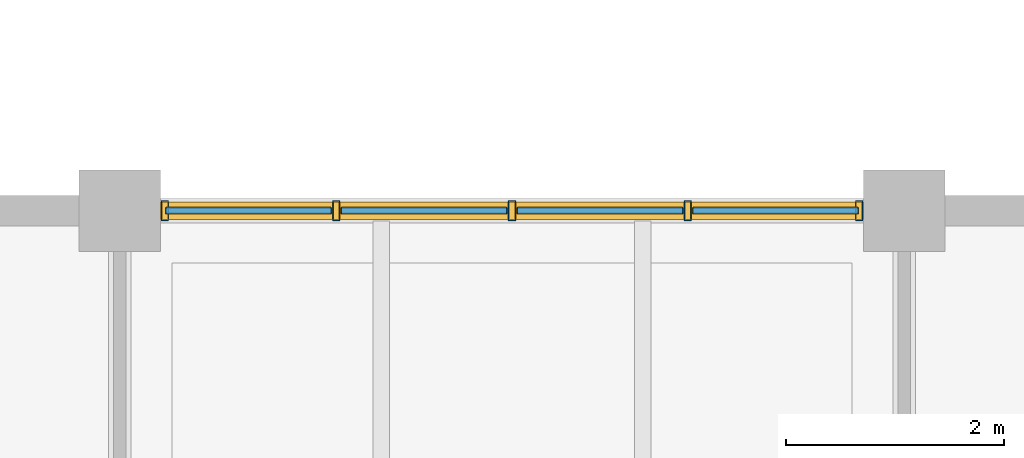
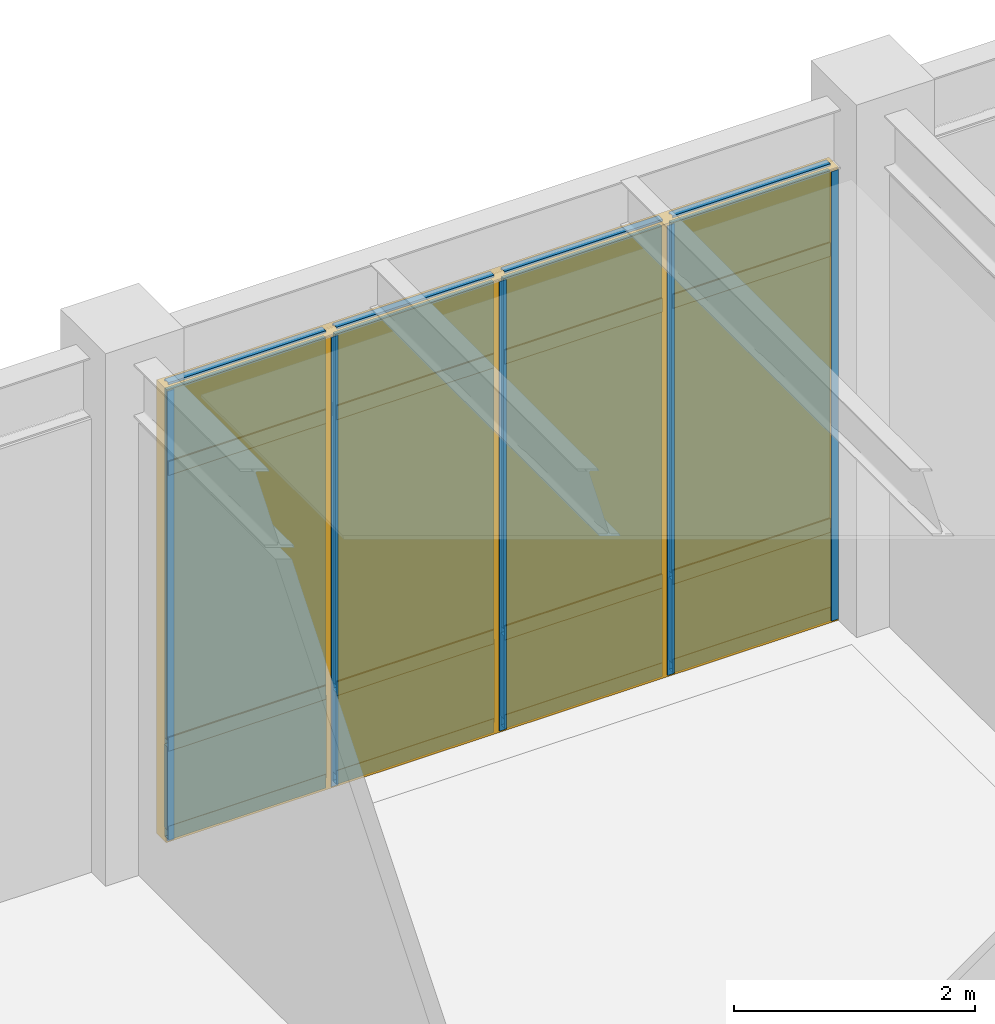
# One storey, part 68 of 97: 21 members, 8 plates, 1 curtain wall.
"""IFC4 building model written with IfcOpenShell, lengths in metres."""

import ifcopenshell
import ifcopenshell.guid

model = None  # the IFC model being written
_history = None  # IfcOwnerHistory: only IFC2X3 demands one
_inside = {}  # id of a spatial element -> (the spatial element, [elements in it])
_under = {}  # id of a project, library or spatial element -> (it, [spatial elements below it])
_declared = {}  # id of a project -> (the project, [libraries it declares])
_typed = {}  # id of a type object -> (the type object, [elements of that type])
_made_of = {}  # id of a material, layer set ... -> (it, [elements and type objects made of it])


def new_model(schema):
    """Start an empty IFC model of exactly this schema.

    Asked for "IFC4X3", IfcOpenShell would pick the latest addendum, in which some entities
    have other attributes; the version numbers below select the first issue.
    IFC2X3 requires an IfcOwnerHistory on every rooted entity: one is made here for all.
    """
    global model, _history
    if schema == "IFC4X3":
        model = ifcopenshell.file(schema_version=(4, 3, 0, 0))
    else:
        model = ifcopenshell.file(schema=schema)
    _inside.clear()
    _under.clear()
    _declared.clear()
    _typed.clear()
    _made_of.clear()
    _history = None
    if model.schema == "IFC2X3":
        org = make("IfcOrganization", Name="unknown")
        user = make(
            "IfcPersonAndOrganization",
            ThePerson=make("IfcPerson", FamilyName="unknown"),
            TheOrganization=org,
        )
        app = make(
            "IfcApplication",
            ApplicationDeveloper=org,
            Version="unknown",
            ApplicationFullName="unknown",
            ApplicationIdentifier="unknown",
        )
        _history = make(
            "IfcOwnerHistory",
            OwningUser=user,
            OwningApplication=app,
            ChangeAction="ADDED",
            CreationDate=0,
        )
    return model


def make(cls, **values):
    """One entity of the class cls with the attributes given. An attribute that is None is left unset."""
    return model.create_entity(
        cls, **{name: value for name, value in values.items() if value is not None}
    )


def rooted(cls, **values):
    """An entity with a GlobalId (a new one), such as an element, a storey or a relation."""
    return make(cls, GlobalId=ifcopenshell.guid.new(), OwnerHistory=_history, **values)


def si_unit(unit_type, name, prefix=None):
    """IfcSIUnit, for example si_unit("LENGTHUNIT", "METRE", prefix="MILLI")."""
    return make("IfcSIUnit", UnitType=unit_type, Prefix=prefix, Name=name)


def assignment(units):
    """IfcUnitAssignment: the units of a project."""
    return None if units is None else make("IfcUnitAssignment", Units=units)


def point(xyz):
    """IfcCartesianPoint."""
    return None if xyz is None else make("IfcCartesianPoint", Coordinates=xyz)


def direction(xyz):
    """IfcDirection."""
    return None if xyz is None else make("IfcDirection", DirectionRatios=xyz)


def frame(location, z_axis=None, x_axis=None):
    """IfcAxis2Placement3D, a coordinate frame: its origin and axes. An axis left out is left unset."""
    return make(
        "IfcAxis2Placement3D",
        Location=point(location),
        Axis=direction(z_axis),
        RefDirection=direction(x_axis),
    )


def frame_2d(location, x_axis=None):
    """IfcAxis2Placement2D, a coordinate frame in the plane: its origin and x axis."""
    return make(
        "IfcAxis2Placement2D", Location=point(location), RefDirection=direction(x_axis)
    )


def origin():
    """The frame at (0, 0, 0) with its axes left unset."""
    return frame((0.0, 0.0, 0.0))


def origin_2d():
    """The frame at (0, 0) in the plane with its x axis left unset."""
    return frame_2d((0.0, 0.0))


def place(relative_to, where):
    """IfcLocalPlacement: puts the frame where relative to a parent placement (None: the world)."""
    return make(
        "IfcLocalPlacement", PlacementRelTo=relative_to, RelativePlacement=where
    )


def context(
    kind, dimensions, precision=None, world=None, true_north=None, identifier=None
):
    """IfcGeometricRepresentationContext, for example the 3D "Model" context."""
    return make(
        "IfcGeometricRepresentationContext",
        ContextIdentifier=identifier,
        ContextType=kind,
        CoordinateSpaceDimension=dimensions,
        Precision=precision,
        WorldCoordinateSystem=world,
        TrueNorth=true_north,
    )


def subcontext(parent, identifier, kind, view, scale=None):
    """IfcGeometricRepresentationSubContext, for example "Body" below "Model"."""
    return make(
        "IfcGeometricRepresentationSubContext",
        ContextIdentifier=identifier,
        ContextType=kind,
        ParentContext=parent,
        TargetScale=scale,
        TargetView=view,
    )


def project(units=None, contexts=None):
    """IfcProject with its units and contexts."""
    return rooted(
        "IfcProject",
        Name="project",
        RepresentationContexts=contexts,
        UnitsInContext=assignment(units),
    )


def spatial(cls, under=None, at=None, **own):
    """A site, building, storey or space (cls), placed at a placement, below another one or the project."""
    s = rooted(cls, ObjectPlacement=at, **own)
    if under is not None:
        _under.setdefault(under.id(), (under, []))[1].append(s)
    return s


def profile(cls, at=None, kind="AREA", **sizes):
    """A parametric profile (cls). Its sizes go by their IFC names, for example OverallWidth=200.0."""
    return make(cls, ProfileType=kind, Position=at, **sizes)


def rectangle(**sizes):
    """IfcRectangleProfileDef."""
    return profile("IfcRectangleProfileDef", **sizes)


def hollow_rectangle(**sizes):
    """IfcRectangleHollowProfileDef."""
    return profile("IfcRectangleHollowProfileDef", **sizes)


def extrude(swept, where, along, depth):
    """IfcExtrudedAreaSolid: the profile swept, set in the frame where, extruded along a direction by depth."""
    return make(
        "IfcExtrudedAreaSolid",
        SweptArea=swept,
        Position=where,
        ExtrudedDirection=direction(along),
        Depth=depth,
    )


def shape(context_of_items, identifier, shape_type, items):
    """IfcShapeRepresentation: the items that make up one representation, for example the "Body"."""
    return make(
        "IfcShapeRepresentation",
        ContextOfItems=context_of_items,
        RepresentationIdentifier=identifier,
        RepresentationType=shape_type,
        Items=items,
    )


def material(Name=None, Category=None):
    """IfcMaterial."""
    return make("IfcMaterial", Name=Name, Category=Category)


def layer(
    of_material, thickness, ventilated=None, Name=None, Category=None, Priority=None
):
    """IfcMaterialLayer: one layer of a wall or slab, of a material (None: an air gap)."""
    return make(
        "IfcMaterialLayer",
        Material=of_material,
        LayerThickness=thickness,
        IsVentilated=ventilated,
        Name=Name,
        Category=Category,
        Priority=Priority,
    )


def layer_set(layers, Name=None):
    """IfcMaterialLayerSet."""
    return make("IfcMaterialLayerSet", MaterialLayers=layers, LayerSetName=Name)


def material_profile(
    of_material, cross_section, Name=None, Category=None, Priority=None
):
    """IfcMaterialProfile: a cross section and its material."""
    return make(
        "IfcMaterialProfile",
        Name=Name,
        Material=of_material,
        Profile=cross_section,
        Priority=Priority,
        Category=Category,
    )


def profile_set(profiles, Name=None, composite=None):
    """IfcMaterialProfileSet."""
    return make(
        "IfcMaterialProfileSet",
        Name=Name,
        MaterialProfiles=profiles,
        CompositeProfile=composite,
    )


def made_of(thing, what):
    """Note that an element or type object is made of a material, layer set ...; save() writes the relation."""
    if what is not None:
        _made_of.setdefault(what.id(), (what, []))[1].append(thing)
    return thing


def type_object(cls, material=None, **own):
    """A type object (cls), such as IfcWallType, which elements share."""
    return made_of(rooted(cls, **own), material)


def element(
    cls,
    number,
    at=None,
    inside=None,
    cuts=None,
    type_object=None,
    material=None,
    context=None,
    identifier="Body",
    shape_type=None,
    held_by="IfcProductDefinitionShape",
    body=None,
    shapes=None,
    **own,
):
    """One element of the class cls, such as IfcWall. Its Tag is "e" and its number.

    at: its placement. inside: the storey or other place that contains it. cuts: it is an
    opening in that element (IfcRelVoidsElement). A single representation is given by context,
    identifier, shape_type and body (its items); several are given by shapes. held_by: the class
    of the entity that holds the representations. save() writes the other relations.
    """
    e = rooted(cls, Tag="e%d" % number, ObjectPlacement=at, **own)
    if body is not None:
        shapes = [shape(context, identifier, shape_type, body)]
    if shapes is not None:
        e.Representation = make(held_by, Representations=shapes)
    if inside is not None:
        _inside.setdefault(inside.id(), (inside, []))[1].append(e)
    if cuts is not None:
        rooted(
            "IfcRelVoidsElement", RelatingBuildingElement=cuts, RelatedOpeningElement=e
        )
    if type_object is not None:
        _typed.setdefault(type_object.id(), (type_object, []))[1].append(e)
    return made_of(e, material)


def aggregate(whole, parts):
    """IfcRelAggregates: a whole, such as a stair, and the parts it consists of."""
    return rooted("IfcRelAggregates", RelatingObject=whole, RelatedObjects=parts)


def save(model, path):
    """Write the relations noted so far, then the file.

    IfcRelAggregates (storeys below a building ...), IfcRelContainedInSpatialStructure (elements
    in a storey), IfcRelDefinesByType, IfcRelAssociatesMaterial and IfcRelDeclares: one each for
    every whole, place, type object, material and project.
    """
    for whole, parts in _under.values():
        aggregate(whole, parts)
    for where, things in _inside.values():
        rooted(
            "IfcRelContainedInSpatialStructure",
            RelatedElements=things,
            RelatingStructure=where,
        )
    for kind, things in _typed.values():
        rooted("IfcRelDefinesByType", RelatedObjects=things, RelatingType=kind)
    for what, things in _made_of.values():
        rooted("IfcRelAssociatesMaterial", RelatedObjects=things, RelatingMaterial=what)
    for by, libraries in _declared.values():
        rooted("IfcRelDeclares", RelatingContext=by, RelatedDefinitions=libraries)
    model.write(path)


model = new_model("IFC4")

# Units and contexts
model_context = context("Model", 3, precision=1e-05, world=origin(), true_north=direction((0.0, 1.0)))
body_context = subcontext(model_context, "Body", "Model", "MODEL_VIEW")
ifc_project = project(units=[si_unit("LENGTHUNIT", "METRE"), si_unit("AREAUNIT", "SQUARE_METRE"), si_unit("VOLUMEUNIT", "CUBIC_METRE"), si_unit("PLANEANGLEUNIT", "RADIAN"), si_unit("MASSUNIT", "GRAM", prefix="KILO")], contexts=[model_context])

# Member
ifc_material_1 = material(Name="Anodized Aluminium 6063-T6", Category="aluminium")
ifc_material_profile_1 = material_profile(ifc_material_1, hollow_rectangle(XDim=0.06494140625, YDim=0.179931640625, WallThickness=0.00390625, at=origin_2d()), Name="ALU 65x180x4")
ifc_profile_set_1 = profile_set([ifc_material_profile_1], Name="Anodized Aluminium 6063-T6")
member_type_1 = type_object("IfcMemberType", Name="CWM-65X150", PredefinedType="MULLION", material=ifc_profile_set_1)
site_placement = place(None, origin())
building_placement = place(site_placement, origin())
storey_placement = place(building_placement, origin())
member_1_placement = place(storey_placement, frame((50.81494140625, 115.199951171875, 0.02001953125), z_axis=(0.0, 0.0, 1.0), x_axis=(1.0, 0.0, 0.0)))
member_1 = element("IfcMember", 1, at=member_1_placement, type_object=member_type_1, Name="Curtain wall mullion CW-L01-07-15-N-00", PredefinedType="MULLION", context=body_context, shape_type="SweptSolid", body=[
    extrude(hollow_rectangle(XDim=0.06494140625, YDim=0.179931640625, WallThickness=0.00390625, at=origin_2d()), origin(), (0.0, 0.0, 1.0), 4.557861328125),
])

member_2_placement = place(storey_placement, frame((52.387451171875, 115.199951171875, 0.02001953125), z_axis=(0.0, 0.0, 1.0), x_axis=(1.0, 0.0, 0.0)))
member_2 = element("IfcMember", 2, at=member_2_placement, type_object=member_type_1, Name="Curtain wall mullion CW-L01-07-15-N-01", PredefinedType="MULLION", context=body_context, shape_type="SweptSolid", body=[
    extrude(hollow_rectangle(XDim=0.06494140625, YDim=0.179931640625, WallThickness=0.00390625, at=origin_2d()), origin(), (0.0, 0.0, 1.0), 4.557861328125),
])

member_3_placement = place(storey_placement, frame((54.0, 115.199951171875, 0.02001953125), z_axis=(0.0, 0.0, 1.0), x_axis=(1.0, 0.0, 0.0)))
member_3 = element("IfcMember", 3, at=member_3_placement, type_object=member_type_1, Name="Curtain wall mullion CW-L01-07-15-N-02", PredefinedType="MULLION", context=body_context, shape_type="SweptSolid", body=[
    extrude(hollow_rectangle(XDim=0.06494140625, YDim=0.179931640625, WallThickness=0.00390625, at=origin_2d()), origin(), (0.0, 0.0, 1.0), 4.557861328125),
])

member_4_placement = place(storey_placement, frame((55.612548828125, 115.199951171875, 0.02001953125), z_axis=(0.0, 0.0, 1.0), x_axis=(1.0, 0.0, 0.0)))
member_4 = element("IfcMember", 4, at=member_4_placement, type_object=member_type_1, Name="Curtain wall mullion CW-L01-07-15-N-03", PredefinedType="MULLION", context=body_context, shape_type="SweptSolid", body=[
    extrude(hollow_rectangle(XDim=0.06494140625, YDim=0.179931640625, WallThickness=0.00390625, at=origin_2d()), origin(), (0.0, 0.0, 1.0), 4.557861328125),
])

member_5_placement = place(storey_placement, frame((57.18505859375, 115.199951171875, 0.02001953125), z_axis=(0.0, 0.0, 1.0), x_axis=(1.0, 0.0, 0.0)))
member_5 = element("IfcMember", 5, at=member_5_placement, type_object=member_type_1, Name="Curtain wall mullion CW-L01-07-15-N-04", PredefinedType="MULLION", context=body_context, shape_type="SweptSolid", body=[
    extrude(hollow_rectangle(XDim=0.06494140625, YDim=0.179931640625, WallThickness=0.00390625, at=origin_2d()), origin(), (0.0, 0.0, 1.0), 4.557861328125),
])

ifc_material_profile_2 = material_profile(ifc_material_1, hollow_rectangle(XDim=0.06494140625, YDim=0.139892578125, WallThickness=0.00390625, at=origin_2d()), Name="ALU 65x140x4")
ifc_profile_set_2 = profile_set([ifc_material_profile_2], Name="Anodized Aluminium 6063-T6")
member_type_2 = type_object("IfcMemberType", Name="CWT-65X120", PredefinedType="USERDEFINED", material=ifc_profile_set_2)
member_6_placement = place(storey_placement, frame((50.824951171875, 115.199951171875, 0.050048828125), z_axis=(1.0, 0.0, 0.0), x_axis=(0.0, 1.0, 0.0)))
member_6 = element("IfcMember", 6, at=member_6_placement, type_object=member_type_2, Name="Curtain wall transom CW-L01-07-15-N-1.01", ObjectType="TRANSOM", PredefinedType="USERDEFINED", context=body_context, shape_type="SweptSolid", body=[
    extrude(hollow_rectangle(XDim=0.06494140625, YDim=0.139892578125, WallThickness=0.00390625, at=origin_2d()), origin(), (0.0, 0.0, 1.0), 1.512451171875),
])

member_7_placement = place(storey_placement, frame((52.4375, 115.199951171875, 0.050048828125), z_axis=(1.0, 0.0, 0.0), x_axis=(0.0, 1.0, 0.0)))
member_7 = element("IfcMember", 7, at=member_7_placement, type_object=member_type_2, Name="Curtain wall transom CW-L01-07-15-N-1.02", ObjectType="TRANSOM", PredefinedType="USERDEFINED", context=body_context, shape_type="SweptSolid", body=[
    extrude(hollow_rectangle(XDim=0.06494140625, YDim=0.139892578125, WallThickness=0.00390625, at=origin_2d()), origin(), (0.0, 0.0, 1.0), 1.512451171875),
])

member_8_placement = place(storey_placement, frame((54.050048828125, 115.199951171875, 0.050048828125), z_axis=(1.0, 0.0, 0.0), x_axis=(0.0, 1.0, 0.0)))
member_8 = element("IfcMember", 8, at=member_8_placement, type_object=member_type_2, Name="Curtain wall transom CW-L01-07-15-N-1.03", ObjectType="TRANSOM", PredefinedType="USERDEFINED", context=body_context, shape_type="SweptSolid", body=[
    extrude(hollow_rectangle(XDim=0.06494140625, YDim=0.139892578125, WallThickness=0.00390625, at=origin_2d()), origin(), (0.0, 0.0, 1.0), 1.512451171875),
])

member_9_placement = place(storey_placement, frame((55.66259765625, 115.199951171875, 0.050048828125), z_axis=(1.0, 0.0, 0.0), x_axis=(0.0, 1.0, 0.0)))
member_9 = element("IfcMember", 9, at=member_9_placement, type_object=member_type_2, Name="Curtain wall transom CW-L01-07-15-N-1.04", ObjectType="TRANSOM", PredefinedType="USERDEFINED", context=body_context, shape_type="SweptSolid", body=[
    extrude(hollow_rectangle(XDim=0.06494140625, YDim=0.139892578125, WallThickness=0.00390625, at=origin_2d()), origin(), (0.0, 0.0, 1.0), 1.512451171875),
])

member_10_placement = place(storey_placement, frame((50.824951171875, 115.199951171875, 0.949951171875), z_axis=(1.0, 0.0, 0.0), x_axis=(0.0, 1.0, 0.0)))
member_10 = element("IfcMember", 10, at=member_10_placement, type_object=member_type_2, Name="Curtain wall transom CW-L01-07-15-N-2.01", ObjectType="TRANSOM", PredefinedType="USERDEFINED", context=body_context, shape_type="SweptSolid", body=[
    extrude(hollow_rectangle(XDim=0.06494140625, YDim=0.139892578125, WallThickness=0.00390625, at=origin_2d()), origin(), (0.0, 0.0, 1.0), 1.512451171875),
])

member_11_placement = place(storey_placement, frame((52.4375, 115.199951171875, 0.949951171875), z_axis=(1.0, 0.0, 0.0), x_axis=(0.0, 1.0, 0.0)))
member_11 = element("IfcMember", 11, at=member_11_placement, type_object=member_type_2, Name="Curtain wall transom CW-L01-07-15-N-2.02", ObjectType="TRANSOM", PredefinedType="USERDEFINED", context=body_context, shape_type="SweptSolid", body=[
    extrude(hollow_rectangle(XDim=0.06494140625, YDim=0.139892578125, WallThickness=0.00390625, at=origin_2d()), origin(), (0.0, 0.0, 1.0), 1.512451171875),
])

member_12_placement = place(storey_placement, frame((54.050048828125, 115.199951171875, 0.949951171875), z_axis=(1.0, 0.0, 0.0), x_axis=(0.0, 1.0, 0.0)))
member_12 = element("IfcMember", 12, at=member_12_placement, type_object=member_type_2, Name="Curtain wall transom CW-L01-07-15-N-2.03", ObjectType="TRANSOM", PredefinedType="USERDEFINED", context=body_context, shape_type="SweptSolid", body=[
    extrude(hollow_rectangle(XDim=0.06494140625, YDim=0.139892578125, WallThickness=0.00390625, at=origin_2d()), origin(), (0.0, 0.0, 1.0), 1.512451171875),
])

member_13_placement = place(storey_placement, frame((55.66259765625, 115.199951171875, 0.949951171875), z_axis=(1.0, 0.0, 0.0), x_axis=(0.0, 1.0, 0.0)))
member_13 = element("IfcMember", 13, at=member_13_placement, type_object=member_type_2, Name="Curtain wall transom CW-L01-07-15-N-2.04", ObjectType="TRANSOM", PredefinedType="USERDEFINED", context=body_context, shape_type="SweptSolid", body=[
    extrude(hollow_rectangle(XDim=0.06494140625, YDim=0.139892578125, WallThickness=0.00390625, at=origin_2d()), origin(), (0.0, 0.0, 1.0), 1.512451171875),
])

member_14_placement = place(storey_placement, frame((50.824951171875, 115.199951171875, 3.748046875), z_axis=(1.0, 0.0, 0.0), x_axis=(0.0, 1.0, 0.0)))
member_14 = element("IfcMember", 14, at=member_14_placement, type_object=member_type_2, Name="Curtain wall transom CW-L01-07-15-N-3.01", ObjectType="TRANSOM", PredefinedType="USERDEFINED", context=body_context, shape_type="SweptSolid", body=[
    extrude(hollow_rectangle(XDim=0.06494140625, YDim=0.139892578125, WallThickness=0.00390625, at=origin_2d()), origin(), (0.0, 0.0, 1.0), 1.512451171875),
])

member_15_placement = place(storey_placement, frame((52.4375, 115.199951171875, 3.748046875), z_axis=(1.0, 0.0, 0.0), x_axis=(0.0, 1.0, 0.0)))
member_15 = element("IfcMember", 15, at=member_15_placement, type_object=member_type_2, Name="Curtain wall transom CW-L01-07-15-N-3.02", ObjectType="TRANSOM", PredefinedType="USERDEFINED", context=body_context, shape_type="SweptSolid", body=[
    extrude(hollow_rectangle(XDim=0.06494140625, YDim=0.139892578125, WallThickness=0.00390625, at=origin_2d()), origin(), (0.0, 0.0, 1.0), 1.512451171875),
])

member_16_placement = place(storey_placement, frame((54.050048828125, 115.199951171875, 3.748046875), z_axis=(1.0, 0.0, 0.0), x_axis=(0.0, 1.0, 0.0)))
member_16 = element("IfcMember", 16, at=member_16_placement, type_object=member_type_2, Name="Curtain wall transom CW-L01-07-15-N-3.03", ObjectType="TRANSOM", PredefinedType="USERDEFINED", context=body_context, shape_type="SweptSolid", body=[
    extrude(hollow_rectangle(XDim=0.06494140625, YDim=0.139892578125, WallThickness=0.00390625, at=origin_2d()), origin(), (0.0, 0.0, 1.0), 1.512451171875),
])

member_17_placement = place(storey_placement, frame((55.66259765625, 115.199951171875, 3.748046875), z_axis=(1.0, 0.0, 0.0), x_axis=(0.0, 1.0, 0.0)))
member_17 = element("IfcMember", 17, at=member_17_placement, type_object=member_type_2, Name="Curtain wall transom CW-L01-07-15-N-3.04", ObjectType="TRANSOM", PredefinedType="USERDEFINED", context=body_context, shape_type="SweptSolid", body=[
    extrude(hollow_rectangle(XDim=0.06494140625, YDim=0.139892578125, WallThickness=0.00390625, at=origin_2d()), origin(), (0.0, 0.0, 1.0), 1.512451171875),
])

member_18_placement = place(storey_placement, frame((50.824951171875, 115.199951171875, 4.548095703125), z_axis=(1.0, 0.0, 0.0), x_axis=(0.0, 1.0, 0.0)))
member_18 = element("IfcMember", 18, at=member_18_placement, type_object=member_type_2, Name="Curtain wall transom CW-L01-07-15-N-4.01", ObjectType="TRANSOM", PredefinedType="USERDEFINED", context=body_context, shape_type="SweptSolid", body=[
    extrude(hollow_rectangle(XDim=0.06494140625, YDim=0.139892578125, WallThickness=0.00390625, at=origin_2d()), origin(), (0.0, 0.0, 1.0), 1.512451171875),
])

member_19_placement = place(storey_placement, frame((52.4375, 115.199951171875, 4.548095703125), z_axis=(1.0, 0.0, 0.0), x_axis=(0.0, 1.0, 0.0)))
member_19 = element("IfcMember", 19, at=member_19_placement, type_object=member_type_2, Name="Curtain wall transom CW-L01-07-15-N-4.02", ObjectType="TRANSOM", PredefinedType="USERDEFINED", context=body_context, shape_type="SweptSolid", body=[
    extrude(hollow_rectangle(XDim=0.06494140625, YDim=0.139892578125, WallThickness=0.00390625, at=origin_2d()), origin(), (0.0, 0.0, 1.0), 1.512451171875),
])

member_20_placement = place(storey_placement, frame((54.050048828125, 115.199951171875, 4.548095703125), z_axis=(1.0, 0.0, 0.0), x_axis=(0.0, 1.0, 0.0)))
member_20 = element("IfcMember", 20, at=member_20_placement, type_object=member_type_2, Name="Curtain wall transom CW-L01-07-15-N-4.03", ObjectType="TRANSOM", PredefinedType="USERDEFINED", context=body_context, shape_type="SweptSolid", body=[
    extrude(hollow_rectangle(XDim=0.06494140625, YDim=0.139892578125, WallThickness=0.00390625, at=origin_2d()), origin(), (0.0, 0.0, 1.0), 1.512451171875),
])

member_21_placement = place(storey_placement, frame((55.66259765625, 115.199951171875, 4.548095703125), z_axis=(1.0, 0.0, 0.0), x_axis=(0.0, 1.0, 0.0)))
member_21 = element("IfcMember", 21, at=member_21_placement, type_object=member_type_2, Name="Curtain wall transom CW-L01-07-15-N-4.04", ObjectType="TRANSOM", PredefinedType="USERDEFINED", context=body_context, shape_type="SweptSolid", body=[
    extrude(hollow_rectangle(XDim=0.06494140625, YDim=0.139892578125, WallThickness=0.00390625, at=origin_2d()), origin(), (0.0, 0.0, 1.0), 1.512451171875),
])

# Plate
ifc_material_2 = material(Name="Double Low-E Insulated Glazing Unit", Category="glass")
ifc_layer_1 = layer(ifc_material_2, 0.0380859375)
ifc_layer_set_1 = layer_set([ifc_layer_1], Name="Double Low-E Insulated Glazing Unit")
plate_type_1 = type_object("IfcPlateType", Name="CWP-IGU-38", PredefinedType="CURTAIN_PANEL", material=ifc_layer_set_1)
plate_1_placement = place(storey_placement, frame((51.581298828125, 115.199951171875, 0.98974609375), z_axis=(0.0, 0.0, 1.0), x_axis=(1.0, 0.0, 0.0)))
plate_1 = element("IfcPlate", 22, at=plate_1_placement, type_object=plate_type_1, Name="Curtain wall vision glazing CW-L01-07-15-N-01", PredefinedType="CURTAIN_PANEL", context=body_context, shape_type="SweptSolid", body=[
    extrude(rectangle(XDim=1.5224609375, YDim=0.0400390625, at=origin_2d()), origin(), (0.0, 0.0, 1.0), 3.548095703125),
])

plate_2_placement = place(storey_placement, frame((53.19384765625, 115.199951171875, 0.98974609375), z_axis=(0.0, 0.0, 1.0), x_axis=(1.0, 0.0, 0.0)))
plate_2 = element("IfcPlate", 23, at=plate_2_placement, type_object=plate_type_1, Name="Curtain wall vision glazing CW-L01-07-15-N-02", PredefinedType="CURTAIN_PANEL", context=body_context, shape_type="SweptSolid", body=[
    extrude(rectangle(XDim=1.5224609375, YDim=0.0400390625, at=origin_2d()), origin(), (0.0, 0.0, 1.0), 3.548095703125),
])

plate_3_placement = place(storey_placement, frame((54.80615234375, 115.199951171875, 0.98974609375), z_axis=(0.0, 0.0, 1.0), x_axis=(1.0, 0.0, 0.0)))
plate_3 = element("IfcPlate", 24, at=plate_3_placement, type_object=plate_type_1, Name="Curtain wall vision glazing CW-L01-07-15-N-03", PredefinedType="CURTAIN_PANEL", context=body_context, shape_type="SweptSolid", body=[
    extrude(rectangle(XDim=1.5224609375, YDim=0.0400390625, at=origin_2d()), origin(), (0.0, 0.0, 1.0), 3.548095703125),
])

plate_4_placement = place(storey_placement, frame((56.418701171875, 115.199951171875, 0.98974609375), z_axis=(0.0, 0.0, 1.0), x_axis=(1.0, 0.0, 0.0)))
plate_4 = element("IfcPlate", 25, at=plate_4_placement, type_object=plate_type_1, Name="Curtain wall vision glazing CW-L01-07-15-N-04", PredefinedType="CURTAIN_PANEL", context=body_context, shape_type="SweptSolid", body=[
    extrude(rectangle(XDim=1.5224609375, YDim=0.0400390625, at=origin_2d()), origin(), (0.0, 0.0, 1.0), 3.548095703125),
])

ifc_material_3 = material(Name="Insulated Bronze Aluminium Spandrel", Category="aluminium")
ifc_layer_2 = layer(ifc_material_3, 0.06005859375)
ifc_layer_set_2 = layer_set([ifc_layer_2], Name="Insulated Bronze Aluminium Spandrel")
plate_type_2 = type_object("IfcPlateType", Name="CWP-SPN-60", PredefinedType="CURTAIN_PANEL", material=ifc_layer_set_2)
plate_5_placement = place(storey_placement, frame((51.581298828125, 115.199951171875, 0.080078125), z_axis=(0.0, 0.0, 1.0), x_axis=(1.0, 0.0, 0.0)))
plate_5 = element("IfcPlate", 26, at=plate_5_placement, type_object=plate_type_2, Name="Curtain wall spandrel panel CW-L01-07-15-N-01", PredefinedType="CURTAIN_PANEL", context=body_context, shape_type="SweptSolid", body=[
    extrude(rectangle(XDim=1.5224609375, YDim=0.06005859375, at=origin_2d()), origin(), (0.0, 0.0, 1.0), 0.840087890625),
])

plate_6_placement = place(storey_placement, frame((53.19384765625, 115.199951171875, 0.080078125), z_axis=(0.0, 0.0, 1.0), x_axis=(1.0, 0.0, 0.0)))
plate_6 = element("IfcPlate", 27, at=plate_6_placement, type_object=plate_type_2, Name="Curtain wall spandrel panel CW-L01-07-15-N-02", PredefinedType="CURTAIN_PANEL", context=body_context, shape_type="SweptSolid", body=[
    extrude(rectangle(XDim=1.5224609375, YDim=0.06005859375, at=origin_2d()), origin(), (0.0, 0.0, 1.0), 0.840087890625),
])

plate_7_placement = place(storey_placement, frame((54.80615234375, 115.199951171875, 0.080078125), z_axis=(0.0, 0.0, 1.0), x_axis=(1.0, 0.0, 0.0)))
plate_7 = element("IfcPlate", 28, at=plate_7_placement, type_object=plate_type_2, Name="Curtain wall spandrel panel CW-L01-07-15-N-03", PredefinedType="CURTAIN_PANEL", context=body_context, shape_type="SweptSolid", body=[
    extrude(rectangle(XDim=1.5224609375, YDim=0.06005859375, at=origin_2d()), origin(), (0.0, 0.0, 1.0), 0.840087890625),
])

plate_8_placement = place(storey_placement, frame((56.418701171875, 115.199951171875, 0.080078125), z_axis=(0.0, 0.0, 1.0), x_axis=(1.0, 0.0, 0.0)))
plate_8 = element("IfcPlate", 29, at=plate_8_placement, type_object=plate_type_2, Name="Curtain wall spandrel panel CW-L01-07-15-N-04", PredefinedType="CURTAIN_PANEL", context=body_context, shape_type="SweptSolid", body=[
    extrude(rectangle(XDim=1.5224609375, YDim=0.06005859375, at=origin_2d()), origin(), (0.0, 0.0, 1.0), 0.840087890625),
])

# Site, building, storey
site = spatial("IfcSite", under=ifc_project, at=site_placement, CompositionType="ELEMENT")
building = spatial("IfcBuilding", under=site, at=building_placement, Name="Sillqori Civic Hall", CompositionType="ELEMENT")
storey = spatial("IfcBuildingStorey", under=building, at=storey_placement, Name="L01", CompositionType="ELEMENT", Elevation=0.0)

# Curtain wall
ifc_material_4 = material(Name="Anodized Aluminium Curtain Wall System", Category="aluminium")
curtain_wall_type = type_object("IfcCurtainWallType", Name="CW-SF-540", PredefinedType="NOTDEFINED", material=ifc_material_4)
curtain_wall_placement = place(storey_placement, frame((54.0, 115.199951171875, 0.0), z_axis=(0.0, 0.0, 1.0), x_axis=(1.0, 0.0, 0.0)))
curtain_wall = element("IfcCurtainWall", 30, at=curtain_wall_placement, inside=storey, type_object=curtain_wall_type, Name="L01 unitised curtain wall CW-L01-07-15-N", PredefinedType="NOTDEFINED", context=body_context, shape_type="SweptSolid", body=[
    extrude(rectangle(XDim=6.449951171875, YDim=0.159912109375, at=origin_2d()), origin(), (0.0, 0.0, 1.0), 4.597900390625),
])

aggregate(curtain_wall, [member_1, member_2, member_3, member_4, member_5, member_6, member_7, member_8, member_9, member_10, member_11, member_12, member_13, member_14, member_15, member_16, member_17, member_18, member_19, member_20, member_21, plate_5, plate_1, plate_6, plate_2, plate_7, plate_3, plate_8, plate_4])

save(model, "model.ifc")
